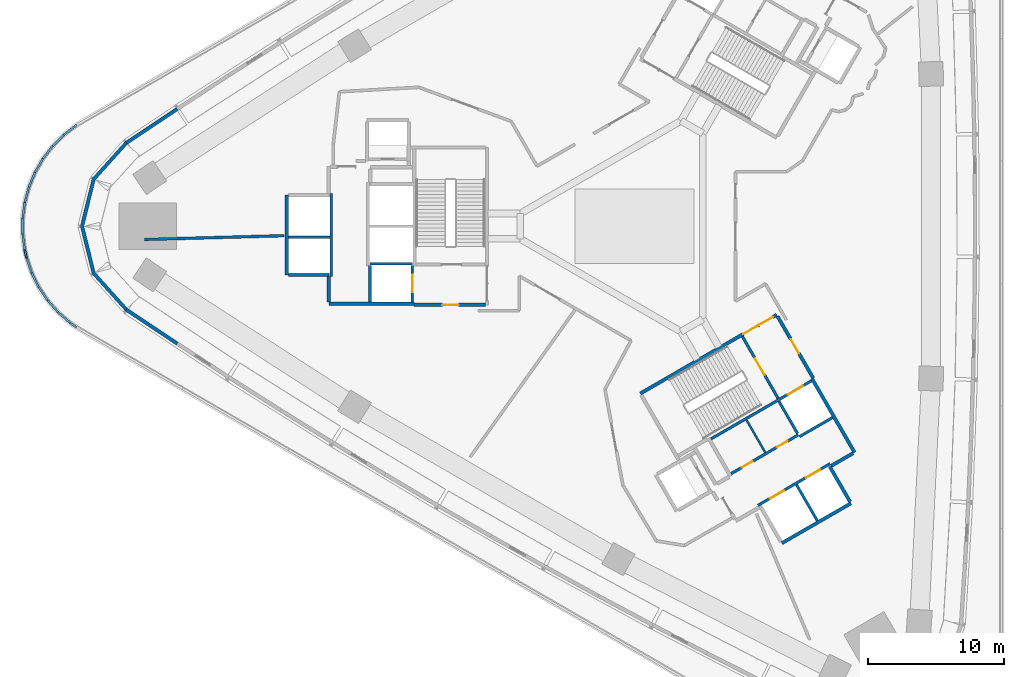
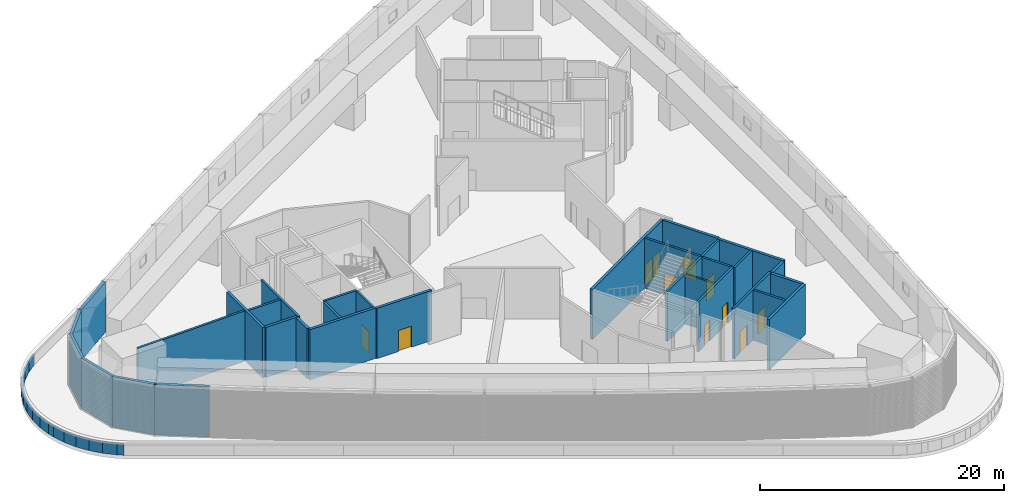
# One storey, part 3 of 11: 45 walls, 11 doors, 11 openings.
"""IFC4 building model written with IfcOpenShell, lengths in metres."""

import ifcopenshell
import ifcopenshell.guid

model = None  # the IFC model being written
_history = None  # IfcOwnerHistory: only IFC2X3 demands one
_inside = {}  # id of a spatial element -> (the spatial element, [elements in it])
_under = {}  # id of a project, library or spatial element -> (it, [spatial elements below it])
_declared = {}  # id of a project -> (the project, [libraries it declares])
_typed = {}  # id of a type object -> (the type object, [elements of that type])
_made_of = {}  # id of a material, layer set ... -> (it, [elements and type objects made of it])


def new_model(schema):
    """Start an empty IFC model of exactly this schema.

    Asked for "IFC4X3", IfcOpenShell would pick the latest addendum, in which some entities
    have other attributes; the version numbers below select the first issue.
    IFC2X3 requires an IfcOwnerHistory on every rooted entity: one is made here for all.
    """
    global model, _history
    if schema == "IFC4X3":
        model = ifcopenshell.file(schema_version=(4, 3, 0, 0))
    else:
        model = ifcopenshell.file(schema=schema)
    _inside.clear()
    _under.clear()
    _declared.clear()
    _typed.clear()
    _made_of.clear()
    _history = None
    if model.schema == "IFC2X3":
        org = make("IfcOrganization", Name="unknown")
        user = make(
            "IfcPersonAndOrganization",
            ThePerson=make("IfcPerson", FamilyName="unknown"),
            TheOrganization=org,
        )
        app = make(
            "IfcApplication",
            ApplicationDeveloper=org,
            Version="unknown",
            ApplicationFullName="unknown",
            ApplicationIdentifier="unknown",
        )
        _history = make(
            "IfcOwnerHistory",
            OwningUser=user,
            OwningApplication=app,
            ChangeAction="ADDED",
            CreationDate=0,
        )
    return model


def make(cls, **values):
    """One entity of the class cls with the attributes given. An attribute that is None is left unset."""
    return model.create_entity(
        cls, **{name: value for name, value in values.items() if value is not None}
    )


def rooted(cls, **values):
    """An entity with a GlobalId (a new one), such as an element, a storey or a relation."""
    return make(cls, GlobalId=ifcopenshell.guid.new(), OwnerHistory=_history, **values)


def si_unit(unit_type, name, prefix=None):
    """IfcSIUnit, for example si_unit("LENGTHUNIT", "METRE", prefix="MILLI")."""
    return make("IfcSIUnit", UnitType=unit_type, Prefix=prefix, Name=name)


def assignment(units):
    """IfcUnitAssignment: the units of a project."""
    return None if units is None else make("IfcUnitAssignment", Units=units)


def point(xyz):
    """IfcCartesianPoint."""
    return None if xyz is None else make("IfcCartesianPoint", Coordinates=xyz)


def direction(xyz):
    """IfcDirection."""
    return None if xyz is None else make("IfcDirection", DirectionRatios=xyz)


def frame(location, z_axis=None, x_axis=None):
    """IfcAxis2Placement3D, a coordinate frame: its origin and axes. An axis left out is left unset."""
    return make(
        "IfcAxis2Placement3D",
        Location=point(location),
        Axis=direction(z_axis),
        RefDirection=direction(x_axis),
    )


def frame_2d(location, x_axis=None):
    """IfcAxis2Placement2D, a coordinate frame in the plane: its origin and x axis."""
    return make(
        "IfcAxis2Placement2D", Location=point(location), RefDirection=direction(x_axis)
    )


def origin():
    """The frame at (0, 0, 0) with its axes left unset."""
    return frame((0.0, 0.0, 0.0))


def place(relative_to, where):
    """IfcLocalPlacement: puts the frame where relative to a parent placement (None: the world)."""
    return make(
        "IfcLocalPlacement", PlacementRelTo=relative_to, RelativePlacement=where
    )


def context(
    kind, dimensions, precision=None, world=None, true_north=None, identifier=None
):
    """IfcGeometricRepresentationContext, for example the 3D "Model" context."""
    return make(
        "IfcGeometricRepresentationContext",
        ContextIdentifier=identifier,
        ContextType=kind,
        CoordinateSpaceDimension=dimensions,
        Precision=precision,
        WorldCoordinateSystem=world,
        TrueNorth=true_north,
    )


def subcontext(parent, identifier, kind, view, scale=None):
    """IfcGeometricRepresentationSubContext, for example "Body" below "Model"."""
    return make(
        "IfcGeometricRepresentationSubContext",
        ContextIdentifier=identifier,
        ContextType=kind,
        ParentContext=parent,
        TargetScale=scale,
        TargetView=view,
    )


def project(units=None, contexts=None):
    """IfcProject with its units and contexts."""
    return rooted(
        "IfcProject",
        Name="project",
        RepresentationContexts=contexts,
        UnitsInContext=assignment(units),
    )


def spatial(cls, under=None, at=None, **own):
    """A site, building, storey or space (cls), placed at a placement, below another one or the project."""
    s = rooted(cls, ObjectPlacement=at, **own)
    if under is not None:
        _under.setdefault(under.id(), (under, []))[1].append(s)
    return s


def polyline(points):
    """IfcPolyline through the points."""
    return make("IfcPolyline", Points=[point(p) for p in points])


def profile(cls, at=None, kind="AREA", **sizes):
    """A parametric profile (cls). Its sizes go by their IFC names, for example OverallWidth=200.0."""
    return make(cls, ProfileType=kind, Position=at, **sizes)


def rectangle(**sizes):
    """IfcRectangleProfileDef."""
    return profile("IfcRectangleProfileDef", **sizes)


def outline(outer, holes=None, kind="AREA"):
    """IfcArbitraryClosedProfileDef: a profile drawn as a closed curve; with holes, ...WithVoids."""
    if holes is None:
        return make("IfcArbitraryClosedProfileDef", ProfileType=kind, OuterCurve=outer)
    return make(
        "IfcArbitraryProfileDefWithVoids",
        ProfileType=kind,
        OuterCurve=outer,
        InnerCurves=holes,
    )


def extrude(swept, where, along, depth):
    """IfcExtrudedAreaSolid: the profile swept, set in the frame where, extruded along a direction by depth."""
    return make(
        "IfcExtrudedAreaSolid",
        SweptArea=swept,
        Position=where,
        ExtrudedDirection=direction(along),
        Depth=depth,
    )


def shape(context_of_items, identifier, shape_type, items):
    """IfcShapeRepresentation: the items that make up one representation, for example the "Body"."""
    return make(
        "IfcShapeRepresentation",
        ContextOfItems=context_of_items,
        RepresentationIdentifier=identifier,
        RepresentationType=shape_type,
        Items=items,
    )


def material(Name=None, Category=None):
    """IfcMaterial."""
    return make("IfcMaterial", Name=Name, Category=Category)


def layer(
    of_material, thickness, ventilated=None, Name=None, Category=None, Priority=None
):
    """IfcMaterialLayer: one layer of a wall or slab, of a material (None: an air gap)."""
    return make(
        "IfcMaterialLayer",
        Material=of_material,
        LayerThickness=thickness,
        IsVentilated=ventilated,
        Name=Name,
        Category=Category,
        Priority=Priority,
    )


def layer_set(layers, Name=None):
    """IfcMaterialLayerSet."""
    return make("IfcMaterialLayerSet", MaterialLayers=layers, LayerSetName=Name)


def made_of(thing, what):
    """Note that an element or type object is made of a material, layer set ...; save() writes the relation."""
    if what is not None:
        _made_of.setdefault(what.id(), (what, []))[1].append(thing)
    return thing


def type_object(cls, material=None, **own):
    """A type object (cls), such as IfcWallType, which elements share."""
    return made_of(rooted(cls, **own), material)


def element(
    cls,
    number,
    at=None,
    inside=None,
    cuts=None,
    type_object=None,
    material=None,
    context=None,
    identifier="Body",
    shape_type=None,
    held_by="IfcProductDefinitionShape",
    body=None,
    shapes=None,
    **own,
):
    """One element of the class cls, such as IfcWall. Its Tag is "e" and its number.

    at: its placement. inside: the storey or other place that contains it. cuts: it is an
    opening in that element (IfcRelVoidsElement). A single representation is given by context,
    identifier, shape_type and body (its items); several are given by shapes. held_by: the class
    of the entity that holds the representations. save() writes the other relations.
    """
    e = rooted(cls, Tag="e%d" % number, ObjectPlacement=at, **own)
    if body is not None:
        shapes = [shape(context, identifier, shape_type, body)]
    if shapes is not None:
        e.Representation = make(held_by, Representations=shapes)
    if inside is not None:
        _inside.setdefault(inside.id(), (inside, []))[1].append(e)
    if cuts is not None:
        rooted(
            "IfcRelVoidsElement", RelatingBuildingElement=cuts, RelatedOpeningElement=e
        )
    if type_object is not None:
        _typed.setdefault(type_object.id(), (type_object, []))[1].append(e)
    return made_of(e, material)


def fill(opening, filler):
    """IfcRelFillsElement: the door or window that sits in an opening."""
    return rooted(
        "IfcRelFillsElement",
        RelatingOpeningElement=opening,
        RelatedBuildingElement=filler,
    )


def aggregate(whole, parts):
    """IfcRelAggregates: a whole, such as a stair, and the parts it consists of."""
    return rooted("IfcRelAggregates", RelatingObject=whole, RelatedObjects=parts)


def save(model, path):
    """Write the relations noted so far, then the file.

    IfcRelAggregates (storeys below a building ...), IfcRelContainedInSpatialStructure (elements
    in a storey), IfcRelDefinesByType, IfcRelAssociatesMaterial and IfcRelDeclares: one each for
    every whole, place, type object, material and project.
    """
    for whole, parts in _under.values():
        aggregate(whole, parts)
    for where, things in _inside.values():
        rooted(
            "IfcRelContainedInSpatialStructure",
            RelatedElements=things,
            RelatingStructure=where,
        )
    for kind, things in _typed.values():
        rooted("IfcRelDefinesByType", RelatedObjects=things, RelatingType=kind)
    for what, things in _made_of.values():
        rooted("IfcRelAssociatesMaterial", RelatedObjects=things, RelatingMaterial=what)
    for by, libraries in _declared.values():
        rooted("IfcRelDeclares", RelatingContext=by, RelatedDefinitions=libraries)
    model.write(path)


model = new_model("IFC4")

# Units and contexts
model_context = context("Model", 3, precision=1e-05, world=origin(), true_north=direction((0.0, 1.0)))
body_context = subcontext(model_context, "Body", "Model", "MODEL_VIEW")
ifc_project = project(units=[si_unit("LENGTHUNIT", "METRE"), si_unit("AREAUNIT", "SQUARE_METRE"), si_unit("VOLUMEUNIT", "CUBIC_METRE"), si_unit("PLANEANGLEUNIT", "RADIAN"), si_unit("MASSUNIT", "GRAM", prefix="KILO")], contexts=[model_context])

# Site, building, storey
site_placement = place(None, origin())
site = spatial("IfcSite", under=ifc_project, at=site_placement, CompositionType="ELEMENT")
building_placement = place(site_placement, origin())
building = spatial("IfcBuilding", under=site, at=building_placement, Name="Tamra Quay Hotel Tower", CompositionType="ELEMENT")
storey_placement = place(building_placement, frame((0.0, 0.0, 29.5)))
storey = spatial("IfcBuildingStorey", under=building, at=storey_placement, Name="L05", CompositionType="ELEMENT", Elevation=29.5)

# Walls
ifc_material_1 = material(Name="Concrete M70", Category="concrete")
ifc_layer_1 = layer(ifc_material_1, 0.199951171875)
ifc_layer_set_1 = layer_set([ifc_layer_1], Name="Concrete M70 core wall 200")
wall_type_1 = type_object("IfcWallType", Name="Concrete M70 core wall 200", PredefinedType="SHEAR", material=ifc_layer_set_1)
wall_1_placement = place(storey_placement, frame((-22.26220703125, 2.400146484375, 0.0), z_axis=(0.0, 0.0, 1.0), x_axis=(0.0, -1.0, 0.0)))
element("IfcWall", 1, at=wall_1_placement, inside=storey, type_object=wall_type_1, Name="CW2", PredefinedType="SHEAR", context=body_context, shape_type="SweptSolid", body=[
    extrude(rectangle(XDim=6.100341796875, YDim=0.199951171875, at=frame_2d((3.05029296875, 0.0))), origin(), (0.0, 0.0, 1.0), 5.02490234375),
])
wall_2_placement = place(storey_placement, frame((-22.36328125, -0.800048828125, 0.0), z_axis=(0.0, 0.0, 1.0), x_axis=(-1.0, 0.0, 0.0)))
element("IfcWall", 2, at=wall_2_placement, inside=storey, type_object=wall_type_1, Name="CW2", PredefinedType="SHEAR", context=body_context, shape_type="SweptSolid", body=[
    extrude(rectangle(XDim=3.048095703125, YDim=0.199951171875, at=frame_2d((1.52392578125, 0.0))), origin(), (0.0, 0.0, 1.0), 5.02490234375),
])
wall_3_placement = place(storey_placement, frame((-19.412353515625, -2.75, 0.0), z_axis=(0.0, 0.0, 1.0), x_axis=(1.0, 0.0, 0.0)))
element("IfcWall", 3, at=wall_3_placement, inside=storey, type_object=wall_type_1, Name="CW2", PredefinedType="SHEAR", context=body_context, shape_type="SweptSolid", body=[
    extrude(rectangle(XDim=3.10009765625, YDim=0.199951171875, at=frame_2d((1.550048828125, 0.0))), origin(), (0.0, 0.0, 1.0), 5.02490234375),
])

# Wall, opening, door
wall_4_placement = place(storey_placement, frame((-16.312255859375, -2.898193359375, 0.0), z_axis=(0.0, 0.0, 1.0), x_axis=(0.0, -1.0, 0.0)))
wall_4 = element("IfcWall", 4, at=wall_4_placement, inside=storey, type_object=wall_type_1, Name="CW2", PredefinedType="SHEAR", context=body_context, shape_type="SweptSolid", body=[
    extrude(rectangle(XDim=2.65087890625, YDim=0.199951171875, at=frame_2d((1.325439453125, 0.0))), origin(), (0.0, 0.0, 1.0), 5.02490234375),
])
opening_1_placement = place(wall_4_placement, frame((0.65185546875, 0.0, 0.0)))
opening_1 = element("IfcOpeningElement", 5, at=opening_1_placement, cuts=wall_4, Name="Opening LD", PredefinedType="OPENING", context=body_context, shape_type="SweptSolid", body=[
    extrude(rectangle(XDim=1.300048828125, YDim=2.10009765625, at=frame_2d((0.64990234375, 1.050048828125))), frame((0.0, 0.10986328125, 0.0), z_axis=(0.0, -1.0, 0.0), x_axis=(1.0, 0.0, 0.0)), (0.0, 0.0, 1.0), 0.219970703125),
])
ifc_material_2 = material(Name="Landing door LD 1300 sliding to right")
door_type_1 = type_object("IfcDoorType", Name="Landing door LD 1300 sliding to right", OperationType="NOTDEFINED", PredefinedType="DOOR", material=ifc_material_2)
door_1_placement = place(opening_1_placement, origin())
door_1 = element("IfcDoor", 6, at=door_1_placement, inside=storey, type_object=door_type_1, Name="LD", OperationType="SLIDING_TO_RIGHT", OverallHeight=2.10009765625, OverallWidth=1.300048828125, PredefinedType="DOOR", context=body_context, shape_type="SweptSolid", body=[
    extrude(rectangle(XDim=1.300048828125, YDim=2.10009765625, at=frame_2d((0.64990234375, 1.050048828125))), frame((0.0, 0.02490234375, 0.0), z_axis=(0.0, -1.0, 0.0), x_axis=(1.0, 0.0, 0.0)), (0.0, 0.0, 1.0), 0.050048828125),
])
fill(opening_1, door_1)

# Wall
wall_5_placement = place(storey_placement, frame((-19.412353515625, -5.549072265625, 0.0), z_axis=(0.0, 0.0, 1.0), x_axis=(0.0, 1.0, 0.0)))
element("IfcWall", 7, at=wall_5_placement, inside=storey, type_object=wall_type_1, Name="CW2", PredefinedType="SHEAR", context=body_context, shape_type="SweptSolid", body=[
    extrude(rectangle(XDim=2.65087890625, YDim=0.199951171875, at=frame_2d((1.325439453125, 0.0))), origin(), (0.0, 0.0, 1.0), 5.02490234375),
])

# Wall, openings, doors
wall_6_placement = place(storey_placement, frame((9.052490234375, -20.479736328125, 0.0), z_axis=(0.0, 0.0, 1.0), x_axis=(0.866030299012, 0.499991521122, 0.0)))
wall_6 = element("IfcWall", 8, at=wall_6_placement, inside=storey, type_object=wall_type_1, Name="CW2", PredefinedType="SHEAR", context=body_context, shape_type="SweptSolid", body=[
    extrude(rectangle(XDim=6.10009765625, YDim=0.199951171875, at=frame_2d((3.050048828125, 0.0))), origin(), (0.0, 0.0, 1.0), 5.02490234375),
])
opening_2_placement = place(wall_6_placement, frame((1.0, 0.0, 0.0)))
opening_2 = element("IfcOpeningElement", 9, at=opening_2_placement, cuts=wall_6, Name="Opening LD", PredefinedType="OPENING", context=body_context, shape_type="SweptSolid", body=[
    extrude(rectangle(XDim=1.199951171875, YDim=2.10009765625, at=frame_2d((0.60009765625, 1.050048828125))), frame((0.0, 0.10986328125, 0.0), z_axis=(0.0, -1.0, 0.0), x_axis=(1.0, 0.0, 0.0)), (0.0, 0.0, 1.0), 0.219970703125),
])
opening_3_placement = place(wall_6_placement, frame((4.05029296875, 0.0, 0.0)))
opening_3 = element("IfcOpeningElement", 10, at=opening_3_placement, cuts=wall_6, Name="Opening LD", PredefinedType="OPENING", context=body_context, shape_type="SweptSolid", body=[
    extrude(rectangle(XDim=1.199951171875, YDim=2.10009765625, at=frame_2d((0.60009765625, 1.050048828125))), frame((0.0, 0.10986328125, 0.0), z_axis=(0.0, -1.0, 0.0), x_axis=(1.0, 0.0, 0.0)), (0.0, 0.0, 1.0), 0.219970703125),
])
ifc_material_3 = material(Name="Landing door LD 1200 double door sliding")
door_type_2 = type_object("IfcDoorType", Name="Landing door LD 1200 double door sliding", OperationType="DOUBLE_DOOR_SLIDING", PredefinedType="DOOR", material=ifc_material_3)
door_2_placement = place(opening_2_placement, origin())
door_2 = element("IfcDoor", 11, at=door_2_placement, inside=storey, type_object=door_type_2, Name="LD", OperationType="DOUBLE_DOOR_SLIDING", OverallHeight=2.10009765625, OverallWidth=1.199951171875, PredefinedType="DOOR", context=body_context, shape_type="SweptSolid", body=[
    extrude(rectangle(XDim=1.199951171875, YDim=2.10009765625, at=frame_2d((0.60009765625, 1.050048828125))), frame((0.0, 0.02490234375, 0.0), z_axis=(0.0, -1.0, 0.0), x_axis=(1.0, 0.0, 0.0)), (0.0, 0.0, 1.0), 0.050048828125),
])
fill(opening_2, door_2)
door_3_placement = place(opening_3_placement, origin())
door_3 = element("IfcDoor", 12, at=door_3_placement, inside=storey, type_object=door_type_2, Name="LD", OperationType="DOUBLE_DOOR_SLIDING", OverallHeight=2.10009765625, OverallWidth=1.199951171875, PredefinedType="DOOR", context=body_context, shape_type="SweptSolid", body=[
    extrude(rectangle(XDim=1.199951171875, YDim=2.10009765625, at=frame_2d((0.60009765625, 1.050048828125))), frame((0.0, 0.02490234375, 0.0), z_axis=(0.0, -1.0, 0.0), x_axis=(1.0, 0.0, 0.0)), (0.0, 0.0, 1.0), 0.050048828125),
])
fill(opening_3, door_3)

# Wall
wall_7_placement = place(storey_placement, frame((10.537841796875, -12.751953125, 0.0), z_axis=(0.0, 0.0, 1.0), x_axis=(-0.866038630372, -0.499977090179, 0.0)))
element("IfcWall", 13, at=wall_7_placement, inside=storey, type_object=wall_type_1, Name="CW2", PredefinedType="SHEAR", context=body_context, shape_type="SweptSolid", body=[
    extrude(rectangle(XDim=5.698974609375, YDim=0.199951171875, at=frame_2d((2.849609375, 0.0))), origin(), (0.0, 0.0, 1.0), 5.02490234375),
])

# Wall, openings, doors
wall_8_placement = place(storey_placement, frame((7.0771484375, -18.156005859375, 0.0), z_axis=(0.0, 0.0, 1.0), x_axis=(0.866038630372, 0.499977090179, 0.0)))
wall_8 = element("IfcWall", 14, at=wall_8_placement, inside=storey, type_object=wall_type_1, Name="CW2", PredefinedType="SHEAR", context=body_context, shape_type="SweptSolid", body=[
    extrude(rectangle(XDim=5.698974609375, YDim=0.199951171875, at=frame_2d((2.849609375, 0.0))), origin(), (0.0, 0.0, 1.0), 5.02490234375),
])
opening_4_placement = place(wall_8_placement, frame((0.89892578125, 0.0, 0.0)))
opening_4 = element("IfcOpeningElement", 15, at=opening_4_placement, cuts=wall_8, Name="Opening D2", PredefinedType="OPENING", context=body_context, shape_type="SweptSolid", body=[
    extrude(rectangle(XDim=0.89990234375, YDim=2.10009765625, at=frame_2d((0.449951171875, 1.050048828125))), frame((0.0, 0.10986328125, 0.0), z_axis=(0.0, -1.0, 0.0), x_axis=(1.0, 0.0, 0.0)), (0.0, 0.0, 1.0), 0.219970703125),
])
opening_5_placement = place(wall_8_placement, frame((3.8740234375, 0.0, 0.0)))
opening_5 = element("IfcOpeningElement", 16, at=opening_5_placement, cuts=wall_8, Name="Opening D2", PredefinedType="OPENING", context=body_context, shape_type="SweptSolid", body=[
    extrude(rectangle(XDim=0.89990234375, YDim=2.10009765625, at=frame_2d((0.449951171875, 1.050048828125))), frame((0.0, 0.10986328125, 0.0), z_axis=(0.0, -1.0, 0.0), x_axis=(1.0, 0.0, 0.0)), (0.0, 0.0, 1.0), 0.219970703125),
])
ifc_material_4 = material(Name="Core door D2 900x2100 LH")
door_type_3 = type_object("IfcDoorType", Name="Core door D2 900x2100 LH", OperationType="NOTDEFINED", PredefinedType="DOOR", material=ifc_material_4)
door_4_placement = place(opening_5_placement, origin())
door_4 = element("IfcDoor", 17, at=door_4_placement, inside=storey, type_object=door_type_3, Name="D2", OperationType="SINGLE_SWING_LEFT", OverallHeight=2.10009765625, OverallWidth=0.89990234375, PredefinedType="DOOR", context=body_context, shape_type="SweptSolid", body=[
    extrude(rectangle(XDim=0.89990234375, YDim=2.10009765625, at=frame_2d((0.449951171875, 1.050048828125))), frame((0.0, 0.02490234375, 0.0), z_axis=(0.0, -1.0, 0.0), x_axis=(1.0, 0.0, 0.0)), (0.0, 0.0, 1.0), 0.050048828125),
])
fill(opening_5, door_4)
ifc_material_5 = material(Name="Core door D2 900x2100 RH")
door_type_4 = type_object("IfcDoorType", Name="Core door D2 900x2100 RH", OperationType="NOTDEFINED", PredefinedType="DOOR", material=ifc_material_5)
door_5_placement = place(opening_4_placement, origin())
door_5 = element("IfcDoor", 18, at=door_5_placement, inside=storey, type_object=door_type_4, Name="D2", OperationType="SINGLE_SWING_RIGHT", OverallHeight=2.10009765625, OverallWidth=0.89990234375, PredefinedType="DOOR", context=body_context, shape_type="SweptSolid", body=[
    extrude(rectangle(XDim=0.89990234375, YDim=2.10009765625, at=frame_2d((0.449951171875, 1.050048828125))), frame((0.0, 0.02490234375, 0.0), z_axis=(0.0, -1.0, 0.0), x_axis=(1.0, 0.0, 0.0)), (0.0, 0.0, 1.0), 0.050048828125),
])
fill(opening_4, door_5)

# Wall, opening, door
wall_9_placement = place(storey_placement, frame((7.906494140625, -8.094482421875, 0.0), z_axis=(0.0, 0.0, 1.0), x_axis=(0.500024287448, -0.866011380966, 0.0)))
wall_9 = element("IfcWall", 19, at=wall_9_placement, inside=storey, type_object=wall_type_1, Name="CW2", PredefinedType="SHEAR", context=body_context, shape_type="SweptSolid", body=[
    extrude(rectangle(XDim=5.251220703125, YDim=0.199951171875, at=frame_2d((2.62548828125, 0.0))), origin(), (0.0, 0.0, 1.0), 5.02490234375),
])
opening_6_placement = place(wall_9_placement, frame((1.84912109375, 0.0, 0.0)))
opening_6 = element("IfcOpeningElement", 20, at=opening_6_placement, cuts=wall_9, Name="Opening FD2", PredefinedType="OPENING", context=body_context, shape_type="SweptSolid", body=[
    extrude(rectangle(XDim=1.39990234375, YDim=2.10009765625, at=frame_2d((0.699951171875, 1.050048828125))), frame((0.0, 0.10986328125, 0.0), z_axis=(0.0, -1.0, 0.0), x_axis=(1.0, 0.0, 0.0)), (0.0, 0.0, 1.0), 0.219970703125),
])
ifc_material_6 = material(Name="Core door FD2 1400x2100 LH")
door_type_5 = type_object("IfcDoorType", Name="Core door FD2 1400x2100 LH", OperationType="NOTDEFINED", PredefinedType="DOOR", material=ifc_material_6)
door_6_placement = place(opening_6_placement, origin())
door_6 = element("IfcDoor", 21, at=door_6_placement, inside=storey, type_object=door_type_5, Name="FD2", OperationType="SINGLE_SWING_LEFT", OverallHeight=2.10009765625, OverallWidth=1.39990234375, PredefinedType="DOOR", context=body_context, shape_type="SweptSolid", body=[
    extrude(rectangle(XDim=1.39990234375, YDim=2.10009765625, at=frame_2d((0.699951171875, 1.050048828125))), frame((0.0, 0.02490234375, 0.0), z_axis=(0.0, -1.0, 0.0), x_axis=(1.0, 0.0, 0.0)), (0.0, 0.0, 1.0), 0.050048828125),
])
fill(opening_6, door_6)

# Walls
wall_10_placement = place(storey_placement, frame((11.87451171875, -18.967041015625, 0.0), z_axis=(0.0, 0.0, 1.0), x_axis=(0.49998131003, -0.866036194175, 0.0)))
element("IfcWall", 22, at=wall_10_placement, inside=storey, type_object=wall_type_1, Name="CW2", PredefinedType="SHEAR", context=body_context, shape_type="SweptSolid", body=[
    extrude(rectangle(XDim=3.0478515625, YDim=0.199951171875, at=frame_2d((1.52392578125, 0.0))), origin(), (0.0, 0.0, 1.0), 5.02490234375),
])
wall_11_placement = place(storey_placement, frame((11.962646484375, -15.219970703125, 0.0), z_axis=(0.0, 0.0, 1.0), x_axis=(-0.500034990121, 0.866005201286, 0.0)))
element("IfcWall", 23, at=wall_11_placement, inside=storey, type_object=wall_type_1, Name="CW2", PredefinedType="SHEAR", context=body_context, shape_type="SweptSolid", body=[
    extrude(rectangle(XDim=2.749755859375, YDim=0.199951171875, at=frame_2d((1.375, 0.0))), origin(), (0.0, 0.0, 1.0), 5.02490234375),
])

# Wall, opening, door
wall_12_placement = place(storey_placement, frame((10.587158203125, -12.72314453125, 0.0), z_axis=(0.0, 0.0, 1.0), x_axis=(0.866037306777, 0.499979382845, 0.0)))
wall_12 = element("IfcWall", 24, at=wall_12_placement, inside=storey, type_object=wall_type_1, Name="CW2", PredefinedType="SHEAR", context=body_context, shape_type="SweptSolid", body=[
    extrude(rectangle(XDim=2.74169921875, YDim=0.199951171875, at=frame_2d((1.370849609375, 0.0))), origin(), (0.0, 0.0, 1.0), 5.02490234375),
])
opening_7_placement = place(wall_12_placement, frame((0.742919921875, 0.0, 0.0)))
opening_7 = element("IfcOpeningElement", 25, at=opening_7_placement, cuts=wall_12, Name="Opening LD", PredefinedType="OPENING", context=body_context, shape_type="SweptSolid", body=[
    extrude(rectangle(XDim=1.300048828125, YDim=2.10009765625, at=frame_2d((0.64990234375, 1.050048828125))), frame((0.0, 0.10986328125, 0.0), z_axis=(0.0, -1.0, 0.0), x_axis=(1.0, 0.0, 0.0)), (0.0, 0.0, 1.0), 0.219970703125),
])
ifc_material_7 = material(Name="Landing door LD 1300 sliding to left")
door_type_6 = type_object("IfcDoorType", Name="Landing door LD 1300 sliding to left", OperationType="NOTDEFINED", PredefinedType="DOOR", material=ifc_material_7)
door_7_placement = place(opening_7_placement, origin())
door_7 = element("IfcDoor", 26, at=door_7_placement, inside=storey, type_object=door_type_6, Name="LD", OperationType="SLIDING_TO_LEFT", OverallHeight=2.10009765625, OverallWidth=1.300048828125, PredefinedType="DOOR", context=body_context, shape_type="SweptSolid", body=[
    extrude(rectangle(XDim=1.300048828125, YDim=2.10009765625, at=frame_2d((0.64990234375, 1.050048828125))), frame((0.0, 0.02490234375, 0.0), z_axis=(0.0, -1.0, 0.0), x_axis=(1.0, 0.0, 0.0)), (0.0, 0.0, 1.0), 0.050048828125),
])
fill(opening_7, door_7)

# Walls
wall_13_placement = place(storey_placement, frame((14.51171875, -14.037109375, 0.0), z_axis=(0.0, 0.0, 1.0), x_axis=(-0.866044696403, -0.499966582715, 0.0)))
element("IfcWall", 27, at=wall_13_placement, inside=storey, type_object=wall_type_1, Name="CW2", PredefinedType="SHEAR", context=body_context, shape_type="SweptSolid", body=[
    extrude(rectangle(XDim=2.799072265625, YDim=0.199951171875, at=frame_2d((1.3994140625, 0.0))), origin(), (0.0, 0.0, 1.0), 5.02490234375),
])
ifc_layer_2 = layer(ifc_material_1, 0.25)
ifc_layer_set_2 = layer_set([ifc_layer_2], Name="Concrete M70 core wall 250")
wall_type_2 = type_object("IfcWallType", Name="Concrete M70 core wall 250", PredefinedType="SHEAR", material=ifc_layer_set_2)
wall_14_placement = place(storey_placement, frame((-16.187255859375, -5.675048828125, 0.0), z_axis=(0.0, 0.0, 1.0), x_axis=(-1.0, 0.0, 0.0)))
element("IfcWall", 28, at=wall_14_placement, inside=storey, type_object=wall_type_2, Name="CW1", PredefinedType="SHEAR", context=body_context, shape_type="SweptSolid", body=[
    extrude(rectangle(XDim=6.25, YDim=0.25, at=frame_2d((3.125, 0.0))), origin(), (0.0, 0.0, 1.0), 5.02490234375),
])
wall_15_placement = place(storey_placement, frame((-25.537353515625, -3.574951171875, 0.0), z_axis=(0.0, 0.0, 1.0), x_axis=(0.0, 1.0, 0.0)))
element("IfcWall", 29, at=wall_15_placement, inside=storey, type_object=wall_type_2, Name="CW1", PredefinedType="SHEAR", context=body_context, shape_type="SweptSolid", body=[
    extrude(rectangle(XDim=5.849853515625, YDim=0.25, at=frame_2d((2.9248046875, 0.0))), origin(), (0.0, 0.0, 1.0), 5.02490234375),
])

# Wall, opening, door
wall_16_placement = place(storey_placement, frame((-10.962646484375, -5.77490234375, 0.0), z_axis=(0.0, 0.0, 1.0), x_axis=(-1.0, 0.0, 0.0)))
wall_16 = element("IfcWall", 30, at=wall_16_placement, inside=storey, type_object=wall_type_2, Name="CW1", PredefinedType="SHEAR", context=body_context, shape_type="SweptSolid", body=[
    extrude(rectangle(XDim=5.224609375, YDim=0.25, at=frame_2d((2.6123046875, 0.0))), origin(), (0.0, 0.0, 1.0), 5.02490234375),
])
opening_8_placement = place(wall_16_placement, frame((1.94970703125, 0.0, 0.0)))
opening_8 = element("IfcOpeningElement", 31, at=opening_8_placement, cuts=wall_16, Name="Opening D2", PredefinedType="OPENING", context=body_context, shape_type="SweptSolid", body=[
    extrude(rectangle(XDim=1.199951171875, YDim=2.10009765625, at=frame_2d((0.60009765625, 1.050048828125))), frame((0.0, 0.135009765625, 0.0), z_axis=(0.0, -1.0, 0.0), x_axis=(1.0, 0.0, 0.0)), (0.0, 0.0, 1.0), 0.27001953125),
])
ifc_material_8 = material(Name="Core door D2 1200x2100 LH")
door_type_7 = type_object("IfcDoorType", Name="Core door D2 1200x2100 LH", OperationType="NOTDEFINED", PredefinedType="DOOR", material=ifc_material_8)
door_8_placement = place(opening_8_placement, origin())
door_8 = element("IfcDoor", 32, at=door_8_placement, inside=storey, type_object=door_type_7, Name="D2", OperationType="SINGLE_SWING_LEFT", OverallHeight=2.10009765625, OverallWidth=1.199951171875, PredefinedType="DOOR", context=body_context, shape_type="SweptSolid", body=[
    extrude(rectangle(XDim=1.199951171875, YDim=2.10009765625, at=frame_2d((0.60009765625, 1.050048828125))), frame((0.0, 0.02490234375, 0.0), z_axis=(0.0, -1.0, 0.0), x_axis=(1.0, 0.0, 0.0)), (0.0, 0.0, 1.0), 0.050048828125),
])
fill(opening_8, door_8)

# Walls
wall_17_placement = place(storey_placement, frame((-22.437255859375, -3.574951171875, 0.0), z_axis=(0.0, 0.0, 1.0), x_axis=(-1.0, 0.0, 0.0)))
element("IfcWall", 33, at=wall_17_placement, inside=storey, type_object=wall_type_2, Name="CW1", PredefinedType="SHEAR", context=body_context, shape_type="SweptSolid", body=[
    extrude(rectangle(XDim=2.974609375, YDim=0.25, at=frame_2d((1.4873046875, 0.0))), origin(), (0.0, 0.0, 1.0), 5.02490234375),
])
wall_18_placement = place(storey_placement, frame((-22.437255859375, -5.549560546875, 0.0), z_axis=(0.0, 0.0, 1.0), x_axis=(0.0, 1.0, 0.0)))
element("IfcWall", 34, at=wall_18_placement, inside=storey, type_object=wall_type_2, Name="CW1", PredefinedType="SHEAR", context=body_context, shape_type="SweptSolid", body=[
    extrude(rectangle(XDim=1.84912109375, YDim=0.25, at=frame_2d((0.924560546875, 0.0))), origin(), (0.0, 0.0, 1.0), 5.02490234375),
])

# Wall, openings, doors
wall_19_placement = place(storey_placement, frame((0.417236328125, -12.27294921875, 0.0), z_axis=(0.0, 0.0, 1.0), x_axis=(0.866021906294, 0.500006057782, 0.0)))
wall_19 = element("IfcWall", 35, at=wall_19_placement, inside=storey, type_object=wall_type_2, Name="CW1", PredefinedType="SHEAR", context=body_context, shape_type="SweptSolid", body=[
    extrude(rectangle(XDim=11.550048828125, YDim=0.25, at=frame_2d((5.77490234375, 0.0))), origin(), (0.0, 0.0, 1.0), 5.02490234375),
])
opening_9_placement = place(wall_19_placement, frame((10.024658203125, 0.0, 0.0)))
opening_9 = element("IfcOpeningElement", 36, at=opening_9_placement, cuts=wall_19, Name="Opening FD1", PredefinedType="OPENING", context=body_context, shape_type="SweptSolid", body=[
    extrude(rectangle(XDim=1.199951171875, YDim=2.10009765625, at=frame_2d((0.60009765625, 1.050048828125))), frame((0.0, 0.135009765625, 0.0), z_axis=(0.0, -1.0, 0.0), x_axis=(1.0, 0.0, 0.0)), (0.0, 0.0, 1.0), 0.27001953125),
])
opening_10_placement = place(wall_19_placement, frame((8.724609375, 0.0, 0.0)))
opening_10 = element("IfcOpeningElement", 37, at=opening_10_placement, cuts=wall_19, Name="Opening FD1", PredefinedType="OPENING", context=body_context, shape_type="SweptSolid", body=[
    extrude(rectangle(XDim=1.199951171875, YDim=2.10009765625, at=frame_2d((0.60009765625, 1.050048828125))), frame((0.0, 0.135009765625, 0.0), z_axis=(0.0, -1.0, 0.0), x_axis=(1.0, 0.0, 0.0)), (0.0, 0.0, 1.0), 0.27001953125),
])
ifc_material_9 = material(Name="Core door FD1 1200x2100 LH")
door_type_8 = type_object("IfcDoorType", Name="Core door FD1 1200x2100 LH", OperationType="NOTDEFINED", PredefinedType="DOOR", material=ifc_material_9)
door_9_placement = place(opening_9_placement, origin())
door_9 = element("IfcDoor", 38, at=door_9_placement, inside=storey, type_object=door_type_8, Name="FD1", OperationType="SINGLE_SWING_LEFT", OverallHeight=2.10009765625, OverallWidth=1.199951171875, PredefinedType="DOOR", context=body_context, shape_type="SweptSolid", body=[
    extrude(rectangle(XDim=1.199951171875, YDim=2.10009765625, at=frame_2d((0.60009765625, 1.050048828125))), frame((0.0, 0.02490234375, 0.0), z_axis=(0.0, -1.0, 0.0), x_axis=(1.0, 0.0, 0.0)), (0.0, 0.0, 1.0), 0.050048828125),
])
fill(opening_9, door_9)
ifc_material_10 = material(Name="Core door FD1 1200x2100 RH")
door_type_9 = type_object("IfcDoorType", Name="Core door FD1 1200x2100 RH", OperationType="NOTDEFINED", PredefinedType="DOOR", material=ifc_material_10)
door_10_placement = place(opening_10_placement, origin())
door_10 = element("IfcDoor", 39, at=door_10_placement, inside=storey, type_object=door_type_9, Name="FD1", OperationType="SINGLE_SWING_RIGHT", OverallHeight=2.10009765625, OverallWidth=1.199951171875, PredefinedType="DOOR", context=body_context, shape_type="SweptSolid", body=[
    extrude(rectangle(XDim=1.199951171875, YDim=2.10009765625, at=frame_2d((0.60009765625, 1.050048828125))), frame((0.0, 0.02490234375, 0.0), z_axis=(0.0, -1.0, 0.0), x_axis=(1.0, 0.0, 0.0)), (0.0, 0.0, 1.0), 0.050048828125),
])
fill(opening_10, door_10)

# Walls
wall_20_placement = place(storey_placement, frame((13.00830078125, -11.18115234375, 0.0), z_axis=(0.0, 0.0, 1.0), x_axis=(0.500004234368, -0.866022959057, 0.0)))
element("IfcWall", 40, at=wall_20_placement, inside=storey, type_object=wall_type_2, Name="CW1", PredefinedType="SHEAR", context=body_context, shape_type="SweptSolid", body=[
    extrude(rectangle(XDim=6.25, YDim=0.25, at=frame_2d((3.125, 0.0))), origin(), (0.0, 0.0, 1.0), 5.02490234375),
])
wall_21_placement = place(storey_placement, frame((15.86474609375, -20.328369140625, 0.0), z_axis=(0.0, 0.0, 1.0), x_axis=(-0.86602852612, -0.499994591916, 0.0)))
element("IfcWall", 41, at=wall_21_placement, inside=storey, type_object=wall_type_2, Name="CW1", PredefinedType="SHEAR", context=body_context, shape_type="SweptSolid", body=[
    extrude(rectangle(XDim=5.85009765625, YDim=0.25, at=frame_2d((2.925048828125, 0.0))), origin(), (0.0, 0.0, 1.0), 5.02490234375),
])

# Wall, opening, door
wall_22_placement = place(storey_placement, frame((10.482666015625, -6.6064453125, 0.0), z_axis=(0.0, 0.0, 1.0), x_axis=(0.49999885962, -0.866026062182, 0.0)))
wall_22 = element("IfcWall", 42, at=wall_22_placement, inside=storey, type_object=wall_type_2, Name="CW1", PredefinedType="SHEAR", context=body_context, shape_type="SweptSolid", body=[
    extrude(rectangle(XDim=5.224609375, YDim=0.25, at=frame_2d((2.6123046875, 0.0))), origin(), (0.0, 0.0, 1.0), 5.02490234375),
])
opening_11_placement = place(wall_22_placement, frame((1.94970703125, 0.0, 0.0)))
opening_11 = element("IfcOpeningElement", 43, at=opening_11_placement, cuts=wall_22, Name="Opening D2", PredefinedType="OPENING", context=body_context, shape_type="SweptSolid", body=[
    extrude(rectangle(XDim=1.199951171875, YDim=2.10009765625, at=frame_2d((0.60009765625, 1.050048828125))), frame((0.0, 0.135009765625, 0.0), z_axis=(0.0, -1.0, 0.0), x_axis=(1.0, 0.0, 0.0)), (0.0, 0.0, 1.0), 0.27001953125),
])
ifc_material_11 = material(Name="Core door D2 1200x2100 RH")
door_type_10 = type_object("IfcDoorType", Name="Core door D2 1200x2100 RH", OperationType="NOTDEFINED", PredefinedType="DOOR", material=ifc_material_11)
door_11_placement = place(opening_11_placement, origin())
door_11 = element("IfcDoor", 44, at=door_11_placement, inside=storey, type_object=door_type_10, Name="D2", OperationType="SINGLE_SWING_RIGHT", OverallHeight=2.10009765625, OverallWidth=1.199951171875, PredefinedType="DOOR", context=body_context, shape_type="SweptSolid", body=[
    extrude(rectangle(XDim=1.199951171875, YDim=2.10009765625, at=frame_2d((0.60009765625, 1.050048828125))), frame((0.0, 0.02490234375, 0.0), z_axis=(0.0, -1.0, 0.0), x_axis=(1.0, 0.0, 0.0)), (0.0, 0.0, 1.0), 0.050048828125),
])
fill(opening_11, door_11)

# Walls
wall_23_placement = place(storey_placement, frame((14.314697265625, -17.643798828125, 0.0), z_axis=(0.0, 0.0, 1.0), x_axis=(0.500023226632, -0.866011993467, 0.0)))
element("IfcWall", 45, at=wall_23_placement, inside=storey, type_object=wall_type_2, Name="CW1", PredefinedType="SHEAR", context=body_context, shape_type="SweptSolid", body=[
    extrude(rectangle(XDim=2.974365234375, YDim=0.25, at=frame_2d((1.4873046875, 0.0))), origin(), (0.0, 0.0, 1.0), 5.02490234375),
])
wall_24_placement = place(storey_placement, frame((16.024658203125, -16.656494140625, 0.0), z_axis=(0.0, 0.0, 1.0), x_axis=(-0.866016279763, -0.500015802937, 0.0)))
element("IfcWall", 46, at=wall_24_placement, inside=storey, type_object=wall_type_2, Name="CW1", PredefinedType="SHEAR", context=body_context, shape_type="SweptSolid", body=[
    extrude(rectangle(XDim=1.84912109375, YDim=0.25, at=frame_2d((0.924560546875, 0.0))), origin(), (0.0, 0.0, 1.0), 5.02490234375),
])
ifc_material_12 = material(Name="Blockwork", Category="masonry")
ifc_layer_3 = layer(ifc_material_12, 0.14990234375)
ifc_layer_set_3 = layer_set([ifc_layer_3], Name="Core partition block 150")
wall_type_3 = type_object("IfcWallType", Name="Core partition block 150", PredefinedType="PARTITIONING", material=ifc_layer_set_3)
wall_25_placement = place(storey_placement, frame((8.20654296875, -14.214111328125, 0.0), z_axis=(0.0, 0.0, 1.0), x_axis=(0.50002746344, -0.86600954718, 0.0)))
element("IfcWall", 47, at=wall_25_placement, inside=storey, type_object=wall_type_3, Name="CP1", PredefinedType="PARTITIONING", context=body_context, shape_type="SweptSolid", body=[
    extrude(rectangle(XDim=2.748291015625, YDim=0.14990234375, at=frame_2d((1.3740234375, 0.0))), origin(), (0.0, 0.0, 1.0), 5.02490234375),
])
ifc_material_13 = material(Name="Blockwork masonry plastered", Category="masonry")
ifc_layer_4 = layer(ifc_material_13, 0.25)
ifc_layer_set_4 = layer_set([ifc_layer_4], Name="EXTERNAL WALL 250")
wall_type_4 = type_object("IfcWallType", Name="EXTERNAL WALL 250", PredefinedType="SOLIDWALL", material=ifc_layer_set_4)
for number, where, z_axis, x_axis, name in (
    (48, (-37.3037109375, 6.11376953125, 0.0), (0.0, 0.0, 1.0), (0.831816680197, 0.555050457658, 0.0), "EW1"),
    (49, (-33.557861328125, -8.61328125, 0.0), (0.0, 0.0, 1.0), (-0.831816680197, 0.555050457658, 0.0), "EW1"),
):
    element("IfcWall", number, at=place(storey_placement, frame(where, z_axis=z_axis, x_axis=x_axis)), inside=storey, type_object=wall_type_4, Name=name, PredefinedType="SOLIDWALL", context=body_context, shape_type="SweptSolid", body=[
        extrude(rectangle(XDim=4.503173828125, YDim=0.25, at=frame_2d((2.25146484375, 0.0))), origin(), (0.0, 0.0, 1.0), 5.02490234375),
    ])
wall_26_placement = place(storey_placement, origin())
element("IfcWall", 50, at=wall_26_placement, inside=storey, type_object=wall_type_4, Name="EW1", PredefinedType="SOLIDWALL", context=body_context, shape_type="SweptSolid", body=[
    extrude(outline(polyline([(-37.373046875, 6.217529296875), (-39.801025390625, 3.52099609375), (-40.678955078125, 0.0), (-39.801025390625, -3.52099609375), (-37.373046875, -6.217529296875), (-37.187255859375, -6.05029296875), (-39.573486328125, -3.39990234375), (-40.421142578125, 0.0), (-39.573486328125, 3.39990234375), (-37.187255859375, 6.05029296875), (-37.373046875, 6.217529296875)])), origin(), (0.0, 0.0, 1.0), 5.02490234375),
])
ifc_material_14 = material(Name="Reinforced concrete M60 with render", Category="concrete")
ifc_layer_5 = layer(ifc_material_14, 0.14990234375)
ifc_layer_set_5 = layer_set([ifc_layer_5], Name="PARAPET WALL 150")
wall_type_5 = type_object("IfcWallType", Name="PARAPET WALL 150", PredefinedType="PARAPET", material=ifc_layer_set_5)
for number, where, z_axis, x_axis, name in (
    (51, (-41.888427734375, 6.70703125, 0.0), (0.0, 0.0, 1.0), (0.793255746835, 0.608888594172, 0.0), "PW0"),
    (52, (-42.713623046875, 5.881103515625, 0.0), (0.0, 0.0, 1.0), (0.707106781187, 0.707106781187, 0.0), "PW0"),
    (53, (-43.423828125, 4.95458984375, 0.0), (0.0, 0.0, 1.0), (0.608888594172, 0.793255746835, 0.0), "PW0"),
    (54, (-44.0068359375, 3.943115234375, 0.0), (0.0, 0.0, 1.0), (0.499997709859, 0.866026725994, 0.0), "PW0"),
    (55, (-44.453125, 2.8642578125, 0.0), (0.0, 0.0, 1.0), (0.382626535499, 0.923903097912, 0.0), "PW0"),
    (56, (-44.754638671875, 1.736328125, 0.0), (0.0, 0.0, 1.0), (0.258798277302, 0.965931390765, 0.0), "PW0"),
    (57, (-44.90625, 0.578857421875, 0.0), (0.0, 0.0, 1.0), (0.13043841952, 0.991456412916, 0.0), "PW0"),
    (58, (-44.90576171875, -0.588623046875, 0.0), (0.0, 0.0, 1.0), (0.0, 1.0, 0.0), "PW0"),
    (59, (-44.752685546875, -1.74609375, 0.0), (0.0, 0.0, 1.0), (-0.13043841952, 0.991456412916, 0.0), "PW0"),
):
    element("IfcWall", number, at=place(storey_placement, frame(where, z_axis=z_axis, x_axis=x_axis)), inside=storey, type_object=wall_type_5, Name=name, PredefinedType="PARAPET", context=body_context, shape_type="SweptSolid", body=[
        extrude(rectangle(XDim=1.17724609375, YDim=0.14990234375, at=frame_2d((0.588623046875, 0.0))), origin(), (0.0, 0.0, 1.0), 1.10009765625),
    ])
wall_27_placement = place(storey_placement, frame((-44.620361328125, -2.312255859375, 0.0), z_axis=(0.0, 0.0, 1.0), x_axis=(-0.226797060363, 0.973942038014, 0.0)))
element("IfcWall", 60, at=wall_27_placement, inside=storey, type_object=wall_type_5, Name="PW0", PredefinedType="PARAPET", context=body_context, shape_type="SweptSolid", body=[
    extrude(rectangle(XDim=0.5888671875, YDim=0.14990234375, at=frame_2d((0.29443359375, 0.0))), origin(), (0.0, 0.0, 1.0), 1.10009765625),
])
for number, where, z_axis, x_axis, name in (
    (61, (-44.243896484375, -3.419921875, 0.0), (0.0, 0.0, 1.0), (-0.321449107992, 0.946926856189, 0.0), "PW0"),
    (62, (-43.72705078125, -4.466796875, 0.0), (0.0, 0.0, 1.0), (-0.442146228307, 0.896942981908, 0.0), "PW0"),
):
    element("IfcWall", number, at=place(storey_placement, frame(where, z_axis=z_axis, x_axis=x_axis)), inside=storey, type_object=wall_type_5, Name=name, PredefinedType="PARAPET", context=body_context, shape_type="SweptSolid", body=[
        extrude(rectangle(XDim=1.17724609375, YDim=0.14990234375, at=frame_2d((0.588623046875, 0.0))), origin(), (0.0, 0.0, 1.0), 1.10009765625),
    ])
wall_28_placement = place(storey_placement, frame((-43.077880859375, -5.437255859375, 0.0), z_axis=(0.0, 0.0, 1.0), x_axis=(-0.555513414451, 0.831507574449, 0.0)))
element("IfcWall", 63, at=wall_28_placement, inside=storey, type_object=wall_type_5, Name="PW0", PredefinedType="PARAPET", context=body_context, shape_type="SweptSolid", body=[
    extrude(rectangle(XDim=1.177490234375, YDim=0.14990234375, at=frame_2d((0.5888671875, 0.0))), origin(), (0.0, 0.0, 1.0), 1.10009765625),
])
for number, where, z_axis, x_axis, name in (
    (64, (-42.3076171875, -6.314453125, 0.0), (0.0, 0.0, 1.0), (-0.659341163257, 0.75184388701, 0.0), "PW0"),
    (65, (-41.429443359375, -7.083740234375, 0.0), (0.0, 0.0, 1.0), (-0.75184388701, 0.659341163257, 0.0), "PW0"),
):
    element("IfcWall", number, at=place(storey_placement, frame(where, z_axis=z_axis, x_axis=x_axis)), inside=storey, type_object=wall_type_5, Name=name, PredefinedType="PARAPET", context=body_context, shape_type="SweptSolid", body=[
        extrude(rectangle(XDim=1.177001953125, YDim=0.14990234375, at=frame_2d((0.58837890625, 0.0))), origin(), (0.0, 0.0, 1.0), 1.10009765625),
    ])
wall_29_placement = place(storey_placement, frame((-40.95654296875, -7.42236328125, 0.0), z_axis=(0.0, 0.0, 1.0), x_axis=(-0.812555324576, 0.58288407467, 0.0)))
element("IfcWall", 66, at=wall_29_placement, inside=storey, type_object=wall_type_5, Name="PW0", PredefinedType="PARAPET", context=body_context, shape_type="SweptSolid", body=[
    extrude(rectangle(XDim=0.5888671875, YDim=0.14990234375, at=frame_2d((0.29443359375, 0.0))), origin(), (0.0, 0.0, 1.0), 1.10009765625),
])
ifc_material_15 = material(Name="Partition party wall")
ifc_layer_6 = layer(ifc_material_15, 0.199951171875)
ifc_layer_set_6 = layer_set([ifc_layer_6], Name="Partition party wall")
wall_type_6 = type_object("IfcWallType", Name="Partition party wall", PredefinedType="PARTITIONING", material=ifc_layer_set_6)
wall_30_placement = place(storey_placement, frame((-35.97802734375, -0.972900390625, 0.0), z_axis=(0.0, 0.0, 1.0), x_axis=(0.999634552885, 0.027032585509, 0.0)))
element("IfcWall", 67, at=wall_30_placement, inside=storey, type_object=wall_type_6, Name="W-P", PredefinedType="PARTITIONING", context=body_context, shape_type="SweptSolid", body=[
    extrude(rectangle(XDim=10.259521484375, YDim=0.199951171875, at=frame_2d((5.1298828125, 0.0))), origin(), (0.0, 0.0, 1.0), 5.02490234375),
])

save(model, "model.ifc")
